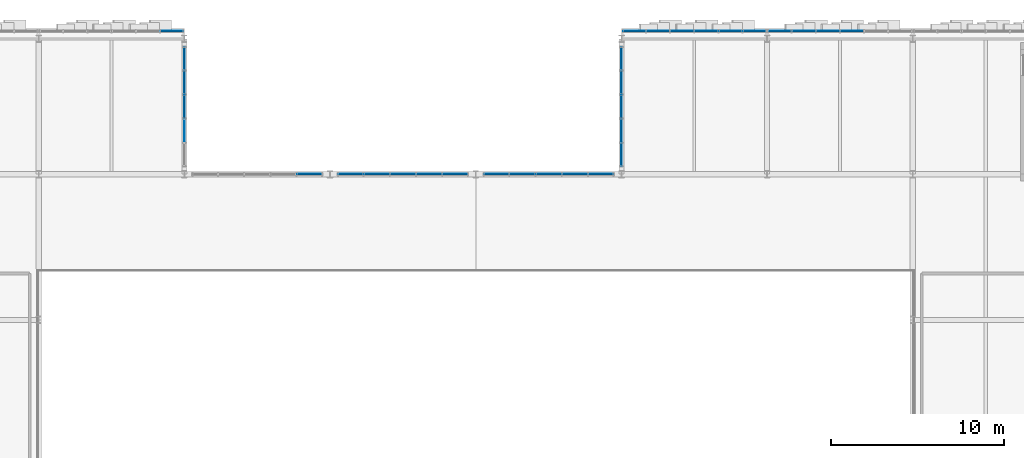
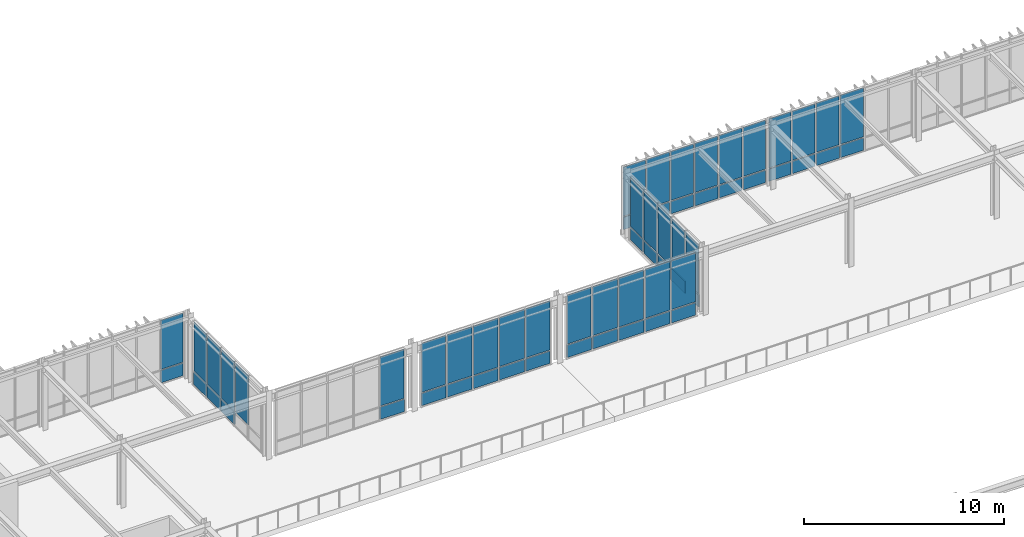
# One storey, part 89 of 127: 61 plates, 8 elements without a shape of their own.
"""IFC4 building model written with IfcOpenShell, lengths in metres."""

from ifc_helpers import new_model, si_unit, direction, frame, origin, origin_2d, place, context, subcontext, project, spatial, rectangle, extrude, material, layer, layer_set, type_object, element, aggregate, save


model = new_model("IFC4")

# Units and contexts
model_context = context("Model", 3, precision=1e-05, world=origin(), true_north=direction((0.0, 1.0)))
body_context = subcontext(model_context, "Body", "Model", "MODEL_VIEW")
ifc_project = project(units=[si_unit("LENGTHUNIT", "METRE"), si_unit("AREAUNIT", "SQUARE_METRE"), si_unit("VOLUMEUNIT", "CUBIC_METRE"), si_unit("PLANEANGLEUNIT", "RADIAN"), si_unit("MASSUNIT", "GRAM", prefix="KILO")], contexts=[model_context])

# Site, building, storey
site_placement = place(None, origin())
site = spatial("IfcSite", under=ifc_project, at=site_placement, CompositionType="ELEMENT")
building_placement = place(site_placement, origin())
building = spatial("IfcBuilding", under=site, at=building_placement, Name="Zayran Congress Hotel", CompositionType="ELEMENT")
storey_placement = place(building_placement, frame((0.0, 0.0, 10.800048828125)))
storey = spatial("IfcBuildingStorey", under=building, at=storey_placement, Name="L02", CompositionType="ELEMENT", Elevation=10.800048828125)

# Curtain wall, plate
ifc_material_1 = material(Name="Anodised aluminium and low-E insulated glass", Category="aluminium")
ifc_layer_1 = layer(ifc_material_1, 0.179931640625)
ifc_layer_set_1 = layer_set([ifc_layer_1], Name="Anodised aluminium and low-E insulated glass")
curtain_wall_type_1 = type_object("IfcCurtainWallType", Name="CW-V1N-L02-CW-23-8360-3920", PredefinedType="USERDEFINED", material=ifc_layer_set_1)
curtain_wall_1_placement = place(storey_placement, origin())
curtain_wall_1 = element("IfcCurtainWall", 1, at=curtain_wall_1_placement, inside=storey, type_object=curtain_wall_type_1, Name="CW-V1N-L02-2", ObjectType="CURTAIN WALL", PredefinedType="USERDEFINED")
ifc_material_2 = material(Name="Insulated warm bronze aluminium spandrel panel", Category="aluminium")
ifc_layer_2 = layer(ifc_material_2, 0.06005859375)
ifc_layer_set_2 = layer_set([ifc_layer_2], Name="Insulated warm bronze aluminium spandrel panel")
plate_type_1 = type_object("IfcPlateType", Name="CWP-SP-1273-750", PredefinedType="CURTAIN_PANEL", material=ifc_layer_set_2)
plate_1_placement = place(storey_placement, frame((32.86328125, 117.85009765625, 0.06005859375), z_axis=(0.0, 0.0, 1.0), x_axis=(1.0, 0.0, 0.0)))
plate_1 = element("IfcPlate", 2, at=plate_1_placement, type_object=plate_type_1, Name="CW-23 Spandrel Panel 1", PredefinedType="CURTAIN_PANEL", context=body_context, shape_type="SweptSolid", body=[
    extrude(rectangle(XDim=1.273193359375, YDim=0.06005859375, at=origin_2d()), origin(), (0.0, 0.0, 1.0), 0.75),
])

# Curtain wall, plates
ifc_layer_3 = layer(ifc_material_1, 0.179931640625)
ifc_layer_set_3 = layer_set([ifc_layer_3], Name="Anodised aluminium and low-E insulated glass")
curtain_wall_type_2 = type_object("IfcCurtainWallType", Name="CW-V1N-L02-CW-21-8360-3920", PredefinedType="USERDEFINED", material=ifc_layer_set_3)
curtain_wall_2_placement = place(storey_placement, origin())
curtain_wall_2 = element("IfcCurtainWall", 3, at=curtain_wall_2_placement, inside=storey, type_object=curtain_wall_type_2, Name="CW-V1N-L02-6", ObjectType="CURTAIN WALL", PredefinedType="USERDEFINED")
plate_2_placement = place(storey_placement, frame((66.46337890625, 117.85009765625, 0.06005859375), z_axis=(0.0, 0.0, 1.0), x_axis=(1.0, 0.0, 0.0)))
plate_2 = element("IfcPlate", 4, at=plate_2_placement, type_object=plate_type_1, Name="CW-21 Spandrel Panel 1", PredefinedType="CURTAIN_PANEL", context=body_context, shape_type="SweptSolid", body=[
    extrude(rectangle(XDim=1.273193359375, YDim=0.06005859375, at=origin_2d()), origin(), (0.0, 0.0, 1.0), 0.75),
])
plate_3_placement = place(storey_placement, frame((65.090087890625, 117.85009765625, 0.06005859375), z_axis=(0.0, 0.0, 1.0), x_axis=(1.0, 0.0, 0.0)))
plate_3 = element("IfcPlate", 5, at=plate_3_placement, type_object=plate_type_1, Name="CW-21 Spandrel Panel 2", PredefinedType="CURTAIN_PANEL", context=body_context, shape_type="SweptSolid", body=[
    extrude(rectangle(XDim=1.313232421875, YDim=0.06005859375, at=origin_2d()), origin(), (0.0, 0.0, 1.0), 0.75),
])
plate_4_placement = place(storey_placement, frame((63.69677734375, 117.85009765625, 0.06005859375), z_axis=(0.0, 0.0, 1.0), x_axis=(1.0, 0.0, 0.0)))
plate_4 = element("IfcPlate", 6, at=plate_4_placement, type_object=plate_type_1, Name="CW-21 Spandrel Panel 3", PredefinedType="CURTAIN_PANEL", context=body_context, shape_type="SweptSolid", body=[
    extrude(rectangle(XDim=1.313232421875, YDim=0.06005859375, at=origin_2d()), origin(), (0.0, 0.0, 1.0), 0.75),
])
plate_5_placement = place(storey_placement, frame((62.30322265625, 117.85009765625, 0.06005859375), z_axis=(0.0, 0.0, 1.0), x_axis=(1.0, 0.0, 0.0)))
plate_5 = element("IfcPlate", 7, at=plate_5_placement, type_object=plate_type_1, Name="CW-21 Spandrel Panel 4", PredefinedType="CURTAIN_PANEL", context=body_context, shape_type="SweptSolid", body=[
    extrude(rectangle(XDim=1.313232421875, YDim=0.06005859375, at=origin_2d()), origin(), (0.0, 0.0, 1.0), 0.75),
])
plate_6_placement = place(storey_placement, frame((60.909912109375, 117.85009765625, 0.06005859375), z_axis=(0.0, 0.0, 1.0), x_axis=(1.0, 0.0, 0.0)))
plate_6 = element("IfcPlate", 8, at=plate_6_placement, type_object=plate_type_1, Name="CW-21 Spandrel Panel 5", PredefinedType="CURTAIN_PANEL", context=body_context, shape_type="SweptSolid", body=[
    extrude(rectangle(XDim=1.313232421875, YDim=0.06005859375, at=origin_2d()), origin(), (0.0, 0.0, 1.0), 0.75),
])
plate_7_placement = place(storey_placement, frame((59.53662109375, 117.85009765625, 0.06005859375), z_axis=(0.0, 0.0, 1.0), x_axis=(1.0, 0.0, 0.0)))
plate_7 = element("IfcPlate", 9, at=plate_7_placement, type_object=plate_type_1, Name="CW-21 Spandrel Panel 6", PredefinedType="CURTAIN_PANEL", context=body_context, shape_type="SweptSolid", body=[
    extrude(rectangle(XDim=1.273193359375, YDim=0.06005859375, at=origin_2d()), origin(), (0.0, 0.0, 1.0), 0.75),
])

ifc_layer_4 = layer(ifc_material_1, 0.179931640625)
ifc_layer_set_4 = layer_set([ifc_layer_4], Name="Anodised aluminium and low-E insulated glass")
curtain_wall_type_3 = type_object("IfcCurtainWallType", Name="CW-V1N-L02-CW-22-8360-3920", PredefinedType="USERDEFINED", material=ifc_layer_set_4)
curtain_wall_3_placement = place(storey_placement, origin())
curtain_wall_3 = element("IfcCurtainWall", 10, at=curtain_wall_3_placement, inside=storey, type_object=curtain_wall_type_3, Name="CW-V1N-L02-7", ObjectType="CURTAIN WALL", PredefinedType="USERDEFINED")
plate_8_placement = place(storey_placement, frame((72.0966796875, 117.85009765625, 0.06005859375), z_axis=(0.0, 0.0, 1.0), x_axis=(1.0, 0.0, 0.0)))
plate_8 = element("IfcPlate", 11, at=plate_8_placement, type_object=plate_type_1, Name="CW-22 Spandrel Panel 3", PredefinedType="CURTAIN_PANEL", context=body_context, shape_type="SweptSolid", body=[
    extrude(rectangle(XDim=1.313232421875, YDim=0.06005859375, at=origin_2d()), origin(), (0.0, 0.0, 1.0), 0.75),
])
plate_9_placement = place(storey_placement, frame((70.703369140625, 117.85009765625, 0.06005859375), z_axis=(0.0, 0.0, 1.0), x_axis=(1.0, 0.0, 0.0)))
plate_9 = element("IfcPlate", 12, at=plate_9_placement, type_object=plate_type_1, Name="CW-22 Spandrel Panel 4", PredefinedType="CURTAIN_PANEL", context=body_context, shape_type="SweptSolid", body=[
    extrude(rectangle(XDim=1.313232421875, YDim=0.06005859375, at=origin_2d()), origin(), (0.0, 0.0, 1.0), 0.75),
])
plate_10_placement = place(storey_placement, frame((69.31005859375, 117.85009765625, 0.06005859375), z_axis=(0.0, 0.0, 1.0), x_axis=(1.0, 0.0, 0.0)))
plate_10 = element("IfcPlate", 13, at=plate_10_placement, type_object=plate_type_1, Name="CW-22 Spandrel Panel 5", PredefinedType="CURTAIN_PANEL", context=body_context, shape_type="SweptSolid", body=[
    extrude(rectangle(XDim=1.313232421875, YDim=0.06005859375, at=origin_2d()), origin(), (0.0, 0.0, 1.0), 0.75),
])
plate_11_placement = place(storey_placement, frame((67.936767578125, 117.85009765625, 0.06005859375), z_axis=(0.0, 0.0, 1.0), x_axis=(1.0, 0.0, 0.0)))
plate_11 = element("IfcPlate", 14, at=plate_11_placement, type_object=plate_type_1, Name="CW-22 Spandrel Panel 6", PredefinedType="CURTAIN_PANEL", context=body_context, shape_type="SweptSolid", body=[
    extrude(rectangle(XDim=1.273193359375, YDim=0.06005859375, at=origin_2d()), origin(), (0.0, 0.0, 1.0), 0.75),
])

ifc_layer_5 = layer(ifc_material_1, 0.179931640625)
ifc_layer_set_5 = layer_set([ifc_layer_5], Name="Anodised aluminium and low-E insulated glass")
curtain_wall_type_4 = type_object("IfcCurtainWallType", Name="CW-V1NW-L02-CW-24-6960-3920", PredefinedType="USERDEFINED", material=ifc_layer_set_5)
curtain_wall_4_placement = place(storey_placement, origin())
curtain_wall_4 = element("IfcCurtainWall", 15, at=curtain_wall_4_placement, inside=storey, type_object=curtain_wall_type_4, Name="CW-V1NW-L02", ObjectType="CURTAIN WALL", PredefinedType="USERDEFINED")
ifc_layer_6 = layer(ifc_material_2, 0.06005859375)
ifc_layer_set_6 = layer_set([ifc_layer_6], Name="Insulated warm bronze aluminium spandrel panel")
plate_type_2 = type_object("IfcPlateType", Name="CWP-SP-1272-750", PredefinedType="CURTAIN_PANEL", material=ifc_layer_set_6)
plate_12_placement = place(storey_placement, frame((33.60009765625, 113.5, 0.06005859375), z_axis=(0.0, 0.0, 1.0), x_axis=(0.0, 1.0, 0.0)))
plate_12 = element("IfcPlate", 16, at=plate_12_placement, type_object=plate_type_2, Name="CW-24 Spandrel Panel 3", PredefinedType="CURTAIN_PANEL", context=body_context, shape_type="SweptSolid", body=[
    extrude(rectangle(XDim=1.31201171875, YDim=0.06005859375, at=origin_2d()), origin(), (0.0, 0.0, 1.0), 0.75),
])
plate_13_placement = place(storey_placement, frame((33.60009765625, 114.89208984375, 0.06005859375), z_axis=(0.0, 0.0, 1.0), x_axis=(0.0, 1.0, 0.0)))
plate_13 = element("IfcPlate", 17, at=plate_13_placement, type_object=plate_type_2, Name="CW-24 Spandrel Panel 4", PredefinedType="CURTAIN_PANEL", context=body_context, shape_type="SweptSolid", body=[
    extrude(rectangle(XDim=1.31201171875, YDim=0.06005859375, at=origin_2d()), origin(), (0.0, 0.0, 1.0), 0.75),
])
plate_14_placement = place(storey_placement, frame((33.60009765625, 116.263916015625, 0.06005859375), z_axis=(0.0, 0.0, 1.0), x_axis=(0.0, 1.0, 0.0)))
plate_14 = element("IfcPlate", 18, at=plate_14_placement, type_object=plate_type_2, Name="CW-24 Spandrel Panel 5", PredefinedType="CURTAIN_PANEL", context=body_context, shape_type="SweptSolid", body=[
    extrude(rectangle(XDim=1.27197265625, YDim=0.06005859375, at=origin_2d()), origin(), (0.0, 0.0, 1.0), 0.75),
])

ifc_layer_7 = layer(ifc_material_1, 0.179931640625)
ifc_layer_set_7 = layer_set([ifc_layer_7], Name="Anodised aluminium and low-E insulated glass")
curtain_wall_type_5 = type_object("IfcCurtainWallType", Name="CW-V1NE-L02-CW-25-6960-3920", PredefinedType="USERDEFINED", material=ifc_layer_set_7)
curtain_wall_5_placement = place(storey_placement, origin())
curtain_wall_5 = element("IfcCurtainWall", 19, at=curtain_wall_5_placement, inside=storey, type_object=curtain_wall_type_5, Name="CW-V1NE-L02", ObjectType="CURTAIN WALL", PredefinedType="USERDEFINED")
plate_15_placement = place(storey_placement, frame((58.800048828125, 116.263916015625, 0.06005859375), z_axis=(0.0, 0.0, 1.0), x_axis=(0.0, 1.0, 0.0)))
plate_15 = element("IfcPlate", 20, at=plate_15_placement, type_object=plate_type_2, Name="CW-25 Spandrel Panel 1", PredefinedType="CURTAIN_PANEL", context=body_context, shape_type="SweptSolid", body=[
    extrude(rectangle(XDim=1.27197265625, YDim=0.06005859375, at=origin_2d()), origin(), (0.0, 0.0, 1.0), 0.75),
])
plate_16_placement = place(storey_placement, frame((58.800048828125, 114.89208984375, 0.06005859375), z_axis=(0.0, 0.0, 1.0), x_axis=(0.0, 1.0, 0.0)))
plate_16 = element("IfcPlate", 21, at=plate_16_placement, type_object=plate_type_2, Name="CW-25 Spandrel Panel 2", PredefinedType="CURTAIN_PANEL", context=body_context, shape_type="SweptSolid", body=[
    extrude(rectangle(XDim=1.31201171875, YDim=0.06005859375, at=origin_2d()), origin(), (0.0, 0.0, 1.0), 0.75),
])
plate_17_placement = place(storey_placement, frame((58.800048828125, 113.5, 0.06005859375), z_axis=(0.0, 0.0, 1.0), x_axis=(0.0, 1.0, 0.0)))
plate_17 = element("IfcPlate", 22, at=plate_17_placement, type_object=plate_type_2, Name="CW-25 Spandrel Panel 3", PredefinedType="CURTAIN_PANEL", context=body_context, shape_type="SweptSolid", body=[
    extrude(rectangle(XDim=1.31201171875, YDim=0.06005859375, at=origin_2d()), origin(), (0.0, 0.0, 1.0), 0.75),
])
plate_18_placement = place(storey_placement, frame((58.800048828125, 112.10791015625, 0.06005859375), z_axis=(0.0, 0.0, 1.0), x_axis=(0.0, 1.0, 0.0)))
plate_18 = element("IfcPlate", 23, at=plate_18_placement, type_object=plate_type_2, Name="CW-25 Spandrel Panel 4", PredefinedType="CURTAIN_PANEL", context=body_context, shape_type="SweptSolid", body=[
    extrude(rectangle(XDim=1.31201171875, YDim=0.06005859375, at=origin_2d()), origin(), (0.0, 0.0, 1.0), 0.75),
])
plate_19_placement = place(storey_placement, frame((58.800048828125, 110.736083984375, 0.06005859375), z_axis=(0.0, 0.0, 1.0), x_axis=(0.0, 1.0, 0.0)))
plate_19 = element("IfcPlate", 24, at=plate_19_placement, type_object=plate_type_2, Name="CW-25 Spandrel Panel 5", PredefinedType="CURTAIN_PANEL", context=body_context, shape_type="SweptSolid", body=[
    extrude(rectangle(XDim=1.27197265625, YDim=0.06005859375, at=origin_2d()), origin(), (0.0, 0.0, 1.0), 0.75),
])

# Curtain wall, plate
ifc_layer_8 = layer(ifc_material_1, 0.179931640625)
ifc_layer_set_8 = layer_set([ifc_layer_8], Name="Anodised aluminium and low-E insulated glass")
curtain_wall_type_6 = type_object("IfcCurtainWallType", Name="CW-V1NF-L02-CW-21-7560-3920", PredefinedType="USERDEFINED", material=ifc_layer_set_8)
curtain_wall_6_placement = place(storey_placement, origin())
curtain_wall_6 = element("IfcCurtainWall", 25, at=curtain_wall_6_placement, inside=storey, type_object=curtain_wall_type_6, Name="CW-V1NF-L02-3", ObjectType="CURTAIN WALL", PredefinedType="USERDEFINED")
ifc_layer_9 = layer(ifc_material_2, 0.06005859375)
ifc_layer_set_9 = layer_set([ifc_layer_9], Name="Insulated warm bronze aluminium spandrel panel")
plate_type_3 = type_object("IfcPlateType", Name="CWP-SP-1392-750", PredefinedType="CURTAIN_PANEL", material=ifc_layer_set_9)
plate_20_placement = place(storey_placement, frame((40.803955078125, 109.60009765625, 0.06005859375), z_axis=(0.0, 0.0, 1.0), x_axis=(1.0, 0.0, 0.0)))
plate_20 = element("IfcPlate", 26, at=plate_20_placement, type_object=plate_type_3, Name="CW-21 Spandrel Panel 1", PredefinedType="CURTAIN_PANEL", context=body_context, shape_type="SweptSolid", body=[
    extrude(rectangle(XDim=1.39208984375, YDim=0.06005859375, at=origin_2d()), origin(), (0.0, 0.0, 1.0), 0.75),
])

# Curtain wall, plates
ifc_layer_10 = layer(ifc_material_1, 0.179931640625)
ifc_layer_set_10 = layer_set([ifc_layer_10], Name="Anodised aluminium and low-E insulated glass")
curtain_wall_type_7 = type_object("IfcCurtainWallType", Name="CW-V1NF-L02-CW-22-7560-3920", PredefinedType="USERDEFINED", material=ifc_layer_set_10)
curtain_wall_7_placement = place(storey_placement, origin())
curtain_wall_7 = element("IfcCurtainWall", 27, at=curtain_wall_7_placement, inside=storey, type_object=curtain_wall_type_7, Name="CW-V1NF-L02-4", ObjectType="CURTAIN WALL", PredefinedType="USERDEFINED")
plate_21_placement = place(storey_placement, frame((49.2041015625, 109.60009765625, 0.06005859375), z_axis=(0.0, 0.0, 1.0), x_axis=(1.0, 0.0, 0.0)))
plate_21 = element("IfcPlate", 28, at=plate_21_placement, type_object=plate_type_3, Name="CW-22 Spandrel Panel 1", PredefinedType="CURTAIN_PANEL", context=body_context, shape_type="SweptSolid", body=[
    extrude(rectangle(XDim=1.39208984375, YDim=0.06005859375, at=origin_2d()), origin(), (0.0, 0.0, 1.0), 0.75),
])
plate_22_placement = place(storey_placement, frame((47.7119140625, 109.60009765625, 0.06005859375), z_axis=(0.0, 0.0, 1.0), x_axis=(1.0, 0.0, 0.0)))
plate_22 = element("IfcPlate", 29, at=plate_22_placement, type_object=plate_type_3, Name="CW-22 Spandrel Panel 2", PredefinedType="CURTAIN_PANEL", context=body_context, shape_type="SweptSolid", body=[
    extrude(rectangle(XDim=1.431884765625, YDim=0.06005859375, at=origin_2d()), origin(), (0.0, 0.0, 1.0), 0.75),
])
plate_23_placement = place(storey_placement, frame((46.199951171875, 109.60009765625, 0.06005859375), z_axis=(0.0, 0.0, 1.0), x_axis=(1.0, 0.0, 0.0)))
plate_23 = element("IfcPlate", 30, at=plate_23_placement, type_object=plate_type_3, Name="CW-22 Spandrel Panel 3", PredefinedType="CURTAIN_PANEL", context=body_context, shape_type="SweptSolid", body=[
    extrude(rectangle(XDim=1.431884765625, YDim=0.06005859375, at=origin_2d()), origin(), (0.0, 0.0, 1.0), 0.75),
])
plate_24_placement = place(storey_placement, frame((44.68798828125, 109.60009765625, 0.06005859375), z_axis=(0.0, 0.0, 1.0), x_axis=(1.0, 0.0, 0.0)))
plate_24 = element("IfcPlate", 31, at=plate_24_placement, type_object=plate_type_3, Name="CW-22 Spandrel Panel 4", PredefinedType="CURTAIN_PANEL", context=body_context, shape_type="SweptSolid", body=[
    extrude(rectangle(XDim=1.431884765625, YDim=0.06005859375, at=origin_2d()), origin(), (0.0, 0.0, 1.0), 0.75),
])
plate_25_placement = place(storey_placement, frame((43.196044921875, 109.60009765625, 0.06005859375), z_axis=(0.0, 0.0, 1.0), x_axis=(1.0, 0.0, 0.0)))
plate_25 = element("IfcPlate", 32, at=plate_25_placement, type_object=plate_type_3, Name="CW-22 Spandrel Panel 5", PredefinedType="CURTAIN_PANEL", context=body_context, shape_type="SweptSolid", body=[
    extrude(rectangle(XDim=1.39208984375, YDim=0.06005859375, at=origin_2d()), origin(), (0.0, 0.0, 1.0), 0.75),
])

ifc_layer_11 = layer(ifc_material_1, 0.179931640625)
ifc_layer_set_11 = layer_set([ifc_layer_11], Name="Anodised aluminium and low-E insulated glass")
curtain_wall_type_8 = type_object("IfcCurtainWallType", Name="CW-V1NF-L02-CW-23-7560-3920", PredefinedType="USERDEFINED", material=ifc_layer_set_11)
curtain_wall_8_placement = place(storey_placement, origin())
curtain_wall_8 = element("IfcCurtainWall", 33, at=curtain_wall_8_placement, inside=storey, type_object=curtain_wall_type_8, Name="CW-V1NF-L02-5", ObjectType="CURTAIN WALL", PredefinedType="USERDEFINED")
plate_26_placement = place(storey_placement, frame((57.60400390625, 109.60009765625, 0.06005859375), z_axis=(0.0, 0.0, 1.0), x_axis=(1.0, 0.0, 0.0)))
plate_26 = element("IfcPlate", 34, at=plate_26_placement, type_object=plate_type_3, Name="CW-23 Spandrel Panel 1", PredefinedType="CURTAIN_PANEL", context=body_context, shape_type="SweptSolid", body=[
    extrude(rectangle(XDim=1.39208984375, YDim=0.06005859375, at=origin_2d()), origin(), (0.0, 0.0, 1.0), 0.75),
])
plate_27_placement = place(storey_placement, frame((56.112060546875, 109.60009765625, 0.06005859375), z_axis=(0.0, 0.0, 1.0), x_axis=(1.0, 0.0, 0.0)))
plate_27 = element("IfcPlate", 35, at=plate_27_placement, type_object=plate_type_3, Name="CW-23 Spandrel Panel 2", PredefinedType="CURTAIN_PANEL", context=body_context, shape_type="SweptSolid", body=[
    extrude(rectangle(XDim=1.431884765625, YDim=0.06005859375, at=origin_2d()), origin(), (0.0, 0.0, 1.0), 0.75),
])
plate_28_placement = place(storey_placement, frame((54.60009765625, 109.60009765625, 0.06005859375), z_axis=(0.0, 0.0, 1.0), x_axis=(1.0, 0.0, 0.0)))
plate_28 = element("IfcPlate", 36, at=plate_28_placement, type_object=plate_type_3, Name="CW-23 Spandrel Panel 3", PredefinedType="CURTAIN_PANEL", context=body_context, shape_type="SweptSolid", body=[
    extrude(rectangle(XDim=1.431884765625, YDim=0.06005859375, at=origin_2d()), origin(), (0.0, 0.0, 1.0), 0.75),
])
plate_29_placement = place(storey_placement, frame((53.087890625, 109.60009765625, 0.06005859375), z_axis=(0.0, 0.0, 1.0), x_axis=(1.0, 0.0, 0.0)))
plate_29 = element("IfcPlate", 37, at=plate_29_placement, type_object=plate_type_3, Name="CW-23 Spandrel Panel 4", PredefinedType="CURTAIN_PANEL", context=body_context, shape_type="SweptSolid", body=[
    extrude(rectangle(XDim=1.431884765625, YDim=0.06005859375, at=origin_2d()), origin(), (0.0, 0.0, 1.0), 0.75),
])
plate_30_placement = place(storey_placement, frame((51.595947265625, 109.60009765625, 0.06005859375), z_axis=(0.0, 0.0, 1.0), x_axis=(1.0, 0.0, 0.0)))
plate_30 = element("IfcPlate", 38, at=plate_30_placement, type_object=plate_type_3, Name="CW-23 Spandrel Panel 5", PredefinedType="CURTAIN_PANEL", context=body_context, shape_type="SweptSolid", body=[
    extrude(rectangle(XDim=1.39208984375, YDim=0.06005859375, at=origin_2d()), origin(), (0.0, 0.0, 1.0), 0.75),
])

# Plate
ifc_layer_12 = layer(ifc_material_1, 0.028076171875)
ifc_layer_set_12 = layer_set([ifc_layer_12], Name="Anodised aluminium and low-E insulated glass")
plate_type_4 = type_object("IfcPlateType", Name="CWP-GL-1273-2990", PredefinedType="CURTAIN_PANEL", material=ifc_layer_set_12)
plate_31_placement = place(storey_placement, frame((32.86328125, 117.85009765625, 0.8701171875), z_axis=(0.0, 0.0, 1.0), x_axis=(1.0, 0.0, 0.0)))
plate_31 = element("IfcPlate", 39, at=plate_31_placement, type_object=plate_type_4, Name="CW-23 Glazed Panel 1", PredefinedType="CURTAIN_PANEL", context=body_context, shape_type="SweptSolid", body=[
    extrude(rectangle(XDim=1.273193359375, YDim=0.028076171875, at=origin_2d()), origin(), (0.0, 0.0, 1.0), 2.989990234375),
])

aggregate(curtain_wall_1, [plate_1, plate_31])

plate_32_placement = place(storey_placement, frame((66.46337890625, 117.85009765625, 0.8701171875), z_axis=(0.0, 0.0, 1.0), x_axis=(1.0, 0.0, 0.0)))
plate_32 = element("IfcPlate", 40, at=plate_32_placement, type_object=plate_type_4, Name="CW-21 Glazed Panel 1", PredefinedType="CURTAIN_PANEL", context=body_context, shape_type="SweptSolid", body=[
    extrude(rectangle(XDim=1.273193359375, YDim=0.028076171875, at=origin_2d()), origin(), (0.0, 0.0, 1.0), 2.989990234375),
])

plate_33_placement = place(storey_placement, frame((65.090087890625, 117.85009765625, 0.8701171875), z_axis=(0.0, 0.0, 1.0), x_axis=(1.0, 0.0, 0.0)))
plate_33 = element("IfcPlate", 41, at=plate_33_placement, type_object=plate_type_4, Name="CW-21 Glazed Panel 2", PredefinedType="CURTAIN_PANEL", context=body_context, shape_type="SweptSolid", body=[
    extrude(rectangle(XDim=1.313232421875, YDim=0.028076171875, at=origin_2d()), origin(), (0.0, 0.0, 1.0), 2.989990234375),
])

plate_34_placement = place(storey_placement, frame((63.69677734375, 117.85009765625, 0.8701171875), z_axis=(0.0, 0.0, 1.0), x_axis=(1.0, 0.0, 0.0)))
plate_34 = element("IfcPlate", 42, at=plate_34_placement, type_object=plate_type_4, Name="CW-21 Glazed Panel 3", PredefinedType="CURTAIN_PANEL", context=body_context, shape_type="SweptSolid", body=[
    extrude(rectangle(XDim=1.313232421875, YDim=0.028076171875, at=origin_2d()), origin(), (0.0, 0.0, 1.0), 2.989990234375),
])

plate_35_placement = place(storey_placement, frame((62.30322265625, 117.85009765625, 0.8701171875), z_axis=(0.0, 0.0, 1.0), x_axis=(1.0, 0.0, 0.0)))
plate_35 = element("IfcPlate", 43, at=plate_35_placement, type_object=plate_type_4, Name="CW-21 Glazed Panel 4", PredefinedType="CURTAIN_PANEL", context=body_context, shape_type="SweptSolid", body=[
    extrude(rectangle(XDim=1.313232421875, YDim=0.028076171875, at=origin_2d()), origin(), (0.0, 0.0, 1.0), 2.989990234375),
])

plate_36_placement = place(storey_placement, frame((60.909912109375, 117.85009765625, 0.8701171875), z_axis=(0.0, 0.0, 1.0), x_axis=(1.0, 0.0, 0.0)))
plate_36 = element("IfcPlate", 44, at=plate_36_placement, type_object=plate_type_4, Name="CW-21 Glazed Panel 5", PredefinedType="CURTAIN_PANEL", context=body_context, shape_type="SweptSolid", body=[
    extrude(rectangle(XDim=1.313232421875, YDim=0.028076171875, at=origin_2d()), origin(), (0.0, 0.0, 1.0), 2.989990234375),
])

plate_37_placement = place(storey_placement, frame((59.53662109375, 117.85009765625, 0.8701171875), z_axis=(0.0, 0.0, 1.0), x_axis=(1.0, 0.0, 0.0)))
plate_37 = element("IfcPlate", 45, at=plate_37_placement, type_object=plate_type_4, Name="CW-21 Glazed Panel 6", PredefinedType="CURTAIN_PANEL", context=body_context, shape_type="SweptSolid", body=[
    extrude(rectangle(XDim=1.273193359375, YDim=0.028076171875, at=origin_2d()), origin(), (0.0, 0.0, 1.0), 2.989990234375),
])

aggregate(curtain_wall_2, [plate_2, plate_32, plate_3, plate_33, plate_4, plate_34, plate_5, plate_35, plate_6, plate_36, plate_7, plate_37])

plate_38_placement = place(storey_placement, frame((72.0966796875, 117.85009765625, 0.8701171875), z_axis=(0.0, 0.0, 1.0), x_axis=(1.0, 0.0, 0.0)))
plate_38 = element("IfcPlate", 46, at=plate_38_placement, type_object=plate_type_4, Name="CW-22 Glazed Panel 3", PredefinedType="CURTAIN_PANEL", context=body_context, shape_type="SweptSolid", body=[
    extrude(rectangle(XDim=1.313232421875, YDim=0.028076171875, at=origin_2d()), origin(), (0.0, 0.0, 1.0), 2.989990234375),
])

plate_39_placement = place(storey_placement, frame((70.703369140625, 117.85009765625, 0.8701171875), z_axis=(0.0, 0.0, 1.0), x_axis=(1.0, 0.0, 0.0)))
plate_39 = element("IfcPlate", 47, at=plate_39_placement, type_object=plate_type_4, Name="CW-22 Glazed Panel 4", PredefinedType="CURTAIN_PANEL", context=body_context, shape_type="SweptSolid", body=[
    extrude(rectangle(XDim=1.313232421875, YDim=0.028076171875, at=origin_2d()), origin(), (0.0, 0.0, 1.0), 2.989990234375),
])

plate_40_placement = place(storey_placement, frame((69.31005859375, 117.85009765625, 0.8701171875), z_axis=(0.0, 0.0, 1.0), x_axis=(1.0, 0.0, 0.0)))
plate_40 = element("IfcPlate", 48, at=plate_40_placement, type_object=plate_type_4, Name="CW-22 Glazed Panel 5", PredefinedType="CURTAIN_PANEL", context=body_context, shape_type="SweptSolid", body=[
    extrude(rectangle(XDim=1.313232421875, YDim=0.028076171875, at=origin_2d()), origin(), (0.0, 0.0, 1.0), 2.989990234375),
])

plate_41_placement = place(storey_placement, frame((67.936767578125, 117.85009765625, 0.8701171875), z_axis=(0.0, 0.0, 1.0), x_axis=(1.0, 0.0, 0.0)))
plate_41 = element("IfcPlate", 49, at=plate_41_placement, type_object=plate_type_4, Name="CW-22 Glazed Panel 6", PredefinedType="CURTAIN_PANEL", context=body_context, shape_type="SweptSolid", body=[
    extrude(rectangle(XDim=1.273193359375, YDim=0.028076171875, at=origin_2d()), origin(), (0.0, 0.0, 1.0), 2.989990234375),
])

aggregate(curtain_wall_3, [plate_8, plate_38, plate_9, plate_39, plate_10, plate_40, plate_11, plate_41])

ifc_layer_13 = layer(ifc_material_1, 0.028076171875)
ifc_layer_set_13 = layer_set([ifc_layer_13], Name="Anodised aluminium and low-E insulated glass")
plate_type_5 = type_object("IfcPlateType", Name="CWP-GL-1392-2990", PredefinedType="CURTAIN_PANEL", material=ifc_layer_set_13)
plate_42_placement = place(storey_placement, frame((40.803955078125, 109.60009765625, 0.8701171875), z_axis=(0.0, 0.0, 1.0), x_axis=(1.0, 0.0, 0.0)))
plate_42 = element("IfcPlate", 50, at=plate_42_placement, type_object=plate_type_5, Name="CW-21 Glazed Panel 1", PredefinedType="CURTAIN_PANEL", context=body_context, shape_type="SweptSolid", body=[
    extrude(rectangle(XDim=1.39208984375, YDim=0.028076171875, at=origin_2d()), origin(), (0.0, 0.0, 1.0), 2.989990234375),
])

aggregate(curtain_wall_6, [plate_20, plate_42])

plate_43_placement = place(storey_placement, frame((49.2041015625, 109.60009765625, 0.8701171875), z_axis=(0.0, 0.0, 1.0), x_axis=(1.0, 0.0, 0.0)))
plate_43 = element("IfcPlate", 51, at=plate_43_placement, type_object=plate_type_5, Name="CW-22 Glazed Panel 1", PredefinedType="CURTAIN_PANEL", context=body_context, shape_type="SweptSolid", body=[
    extrude(rectangle(XDim=1.39208984375, YDim=0.028076171875, at=origin_2d()), origin(), (0.0, 0.0, 1.0), 2.989990234375),
])

plate_44_placement = place(storey_placement, frame((47.7119140625, 109.60009765625, 0.8701171875), z_axis=(0.0, 0.0, 1.0), x_axis=(1.0, 0.0, 0.0)))
plate_44 = element("IfcPlate", 52, at=plate_44_placement, type_object=plate_type_5, Name="CW-22 Glazed Panel 2", PredefinedType="CURTAIN_PANEL", context=body_context, shape_type="SweptSolid", body=[
    extrude(rectangle(XDim=1.431884765625, YDim=0.028076171875, at=origin_2d()), origin(), (0.0, 0.0, 1.0), 2.989990234375),
])

plate_45_placement = place(storey_placement, frame((46.199951171875, 109.60009765625, 0.8701171875), z_axis=(0.0, 0.0, 1.0), x_axis=(1.0, 0.0, 0.0)))
plate_45 = element("IfcPlate", 53, at=plate_45_placement, type_object=plate_type_5, Name="CW-22 Glazed Panel 3", PredefinedType="CURTAIN_PANEL", context=body_context, shape_type="SweptSolid", body=[
    extrude(rectangle(XDim=1.431884765625, YDim=0.028076171875, at=origin_2d()), origin(), (0.0, 0.0, 1.0), 2.989990234375),
])

plate_46_placement = place(storey_placement, frame((44.68798828125, 109.60009765625, 0.8701171875), z_axis=(0.0, 0.0, 1.0), x_axis=(1.0, 0.0, 0.0)))
plate_46 = element("IfcPlate", 54, at=plate_46_placement, type_object=plate_type_5, Name="CW-22 Glazed Panel 4", PredefinedType="CURTAIN_PANEL", context=body_context, shape_type="SweptSolid", body=[
    extrude(rectangle(XDim=1.431884765625, YDim=0.028076171875, at=origin_2d()), origin(), (0.0, 0.0, 1.0), 2.989990234375),
])

plate_47_placement = place(storey_placement, frame((43.196044921875, 109.60009765625, 0.8701171875), z_axis=(0.0, 0.0, 1.0), x_axis=(1.0, 0.0, 0.0)))
plate_47 = element("IfcPlate", 55, at=plate_47_placement, type_object=plate_type_5, Name="CW-22 Glazed Panel 5", PredefinedType="CURTAIN_PANEL", context=body_context, shape_type="SweptSolid", body=[
    extrude(rectangle(XDim=1.39208984375, YDim=0.028076171875, at=origin_2d()), origin(), (0.0, 0.0, 1.0), 2.989990234375),
])

aggregate(curtain_wall_7, [plate_21, plate_43, plate_22, plate_44, plate_23, plate_45, plate_24, plate_46, plate_25, plate_47])

plate_48_placement = place(storey_placement, frame((57.60400390625, 109.60009765625, 0.8701171875), z_axis=(0.0, 0.0, 1.0), x_axis=(1.0, 0.0, 0.0)))
plate_48 = element("IfcPlate", 56, at=plate_48_placement, type_object=plate_type_5, Name="CW-23 Glazed Panel 1", PredefinedType="CURTAIN_PANEL", context=body_context, shape_type="SweptSolid", body=[
    extrude(rectangle(XDim=1.39208984375, YDim=0.028076171875, at=origin_2d()), origin(), (0.0, 0.0, 1.0), 2.989990234375),
])

plate_49_placement = place(storey_placement, frame((56.112060546875, 109.60009765625, 0.8701171875), z_axis=(0.0, 0.0, 1.0), x_axis=(1.0, 0.0, 0.0)))
plate_49 = element("IfcPlate", 57, at=plate_49_placement, type_object=plate_type_5, Name="CW-23 Glazed Panel 2", PredefinedType="CURTAIN_PANEL", context=body_context, shape_type="SweptSolid", body=[
    extrude(rectangle(XDim=1.431884765625, YDim=0.028076171875, at=origin_2d()), origin(), (0.0, 0.0, 1.0), 2.989990234375),
])

plate_50_placement = place(storey_placement, frame((54.60009765625, 109.60009765625, 0.8701171875), z_axis=(0.0, 0.0, 1.0), x_axis=(1.0, 0.0, 0.0)))
plate_50 = element("IfcPlate", 58, at=plate_50_placement, type_object=plate_type_5, Name="CW-23 Glazed Panel 3", PredefinedType="CURTAIN_PANEL", context=body_context, shape_type="SweptSolid", body=[
    extrude(rectangle(XDim=1.431884765625, YDim=0.028076171875, at=origin_2d()), origin(), (0.0, 0.0, 1.0), 2.989990234375),
])

plate_51_placement = place(storey_placement, frame((53.087890625, 109.60009765625, 0.8701171875), z_axis=(0.0, 0.0, 1.0), x_axis=(1.0, 0.0, 0.0)))
plate_51 = element("IfcPlate", 59, at=plate_51_placement, type_object=plate_type_5, Name="CW-23 Glazed Panel 4", PredefinedType="CURTAIN_PANEL", context=body_context, shape_type="SweptSolid", body=[
    extrude(rectangle(XDim=1.431884765625, YDim=0.028076171875, at=origin_2d()), origin(), (0.0, 0.0, 1.0), 2.989990234375),
])

plate_52_placement = place(storey_placement, frame((51.595947265625, 109.60009765625, 0.8701171875), z_axis=(0.0, 0.0, 1.0), x_axis=(1.0, 0.0, 0.0)))
plate_52 = element("IfcPlate", 60, at=plate_52_placement, type_object=plate_type_5, Name="CW-23 Glazed Panel 5", PredefinedType="CURTAIN_PANEL", context=body_context, shape_type="SweptSolid", body=[
    extrude(rectangle(XDim=1.39208984375, YDim=0.028076171875, at=origin_2d()), origin(), (0.0, 0.0, 1.0), 2.989990234375),
])

aggregate(curtain_wall_8, [plate_26, plate_48, plate_27, plate_49, plate_28, plate_50, plate_29, plate_51, plate_30, plate_52])

ifc_layer_14 = layer(ifc_material_1, 0.028076171875)
ifc_layer_set_14 = layer_set([ifc_layer_14], Name="Anodised aluminium and low-E insulated glass")
plate_type_6 = type_object("IfcPlateType", Name="CWP-GL-1272-2990", PredefinedType="CURTAIN_PANEL", material=ifc_layer_set_14)
plate_53_placement = place(storey_placement, frame((33.60009765625, 112.10791015625, 0.8701171875), z_axis=(0.0, 0.0, 1.0), x_axis=(0.0, 1.0, 0.0)))
plate_53 = element("IfcPlate", 61, at=plate_53_placement, type_object=plate_type_6, Name="CW-24 Glazed Panel 2", PredefinedType="CURTAIN_PANEL", context=body_context, shape_type="SweptSolid", body=[
    extrude(rectangle(XDim=1.31201171875, YDim=0.028076171875, at=origin_2d()), origin(), (0.0, 0.0, 1.0), 2.989990234375),
])

plate_54_placement = place(storey_placement, frame((33.60009765625, 113.5, 0.8701171875), z_axis=(0.0, 0.0, 1.0), x_axis=(0.0, 1.0, 0.0)))
plate_54 = element("IfcPlate", 62, at=plate_54_placement, type_object=plate_type_6, Name="CW-24 Glazed Panel 3", PredefinedType="CURTAIN_PANEL", context=body_context, shape_type="SweptSolid", body=[
    extrude(rectangle(XDim=1.31201171875, YDim=0.028076171875, at=origin_2d()), origin(), (0.0, 0.0, 1.0), 2.989990234375),
])

plate_55_placement = place(storey_placement, frame((33.60009765625, 114.89208984375, 0.8701171875), z_axis=(0.0, 0.0, 1.0), x_axis=(0.0, 1.0, 0.0)))
plate_55 = element("IfcPlate", 63, at=plate_55_placement, type_object=plate_type_6, Name="CW-24 Glazed Panel 4", PredefinedType="CURTAIN_PANEL", context=body_context, shape_type="SweptSolid", body=[
    extrude(rectangle(XDim=1.31201171875, YDim=0.028076171875, at=origin_2d()), origin(), (0.0, 0.0, 1.0), 2.989990234375),
])

plate_56_placement = place(storey_placement, frame((33.60009765625, 116.263916015625, 0.8701171875), z_axis=(0.0, 0.0, 1.0), x_axis=(0.0, 1.0, 0.0)))
plate_56 = element("IfcPlate", 64, at=plate_56_placement, type_object=plate_type_6, Name="CW-24 Glazed Panel 5", PredefinedType="CURTAIN_PANEL", context=body_context, shape_type="SweptSolid", body=[
    extrude(rectangle(XDim=1.27197265625, YDim=0.028076171875, at=origin_2d()), origin(), (0.0, 0.0, 1.0), 2.989990234375),
])

aggregate(curtain_wall_4, [plate_53, plate_12, plate_54, plate_13, plate_55, plate_14, plate_56])

plate_57_placement = place(storey_placement, frame((58.800048828125, 116.263916015625, 0.8701171875), z_axis=(0.0, 0.0, 1.0), x_axis=(0.0, 1.0, 0.0)))
plate_57 = element("IfcPlate", 65, at=plate_57_placement, type_object=plate_type_6, Name="CW-25 Glazed Panel 1", PredefinedType="CURTAIN_PANEL", context=body_context, shape_type="SweptSolid", body=[
    extrude(rectangle(XDim=1.27197265625, YDim=0.028076171875, at=origin_2d()), origin(), (0.0, 0.0, 1.0), 2.989990234375),
])

plate_58_placement = place(storey_placement, frame((58.800048828125, 114.89208984375, 0.8701171875), z_axis=(0.0, 0.0, 1.0), x_axis=(0.0, 1.0, 0.0)))
plate_58 = element("IfcPlate", 66, at=plate_58_placement, type_object=plate_type_6, Name="CW-25 Glazed Panel 2", PredefinedType="CURTAIN_PANEL", context=body_context, shape_type="SweptSolid", body=[
    extrude(rectangle(XDim=1.31201171875, YDim=0.028076171875, at=origin_2d()), origin(), (0.0, 0.0, 1.0), 2.989990234375),
])

plate_59_placement = place(storey_placement, frame((58.800048828125, 113.5, 0.8701171875), z_axis=(0.0, 0.0, 1.0), x_axis=(0.0, 1.0, 0.0)))
plate_59 = element("IfcPlate", 67, at=plate_59_placement, type_object=plate_type_6, Name="CW-25 Glazed Panel 3", PredefinedType="CURTAIN_PANEL", context=body_context, shape_type="SweptSolid", body=[
    extrude(rectangle(XDim=1.31201171875, YDim=0.028076171875, at=origin_2d()), origin(), (0.0, 0.0, 1.0), 2.989990234375),
])

plate_60_placement = place(storey_placement, frame((58.800048828125, 112.10791015625, 0.8701171875), z_axis=(0.0, 0.0, 1.0), x_axis=(0.0, 1.0, 0.0)))
plate_60 = element("IfcPlate", 68, at=plate_60_placement, type_object=plate_type_6, Name="CW-25 Glazed Panel 4", PredefinedType="CURTAIN_PANEL", context=body_context, shape_type="SweptSolid", body=[
    extrude(rectangle(XDim=1.31201171875, YDim=0.028076171875, at=origin_2d()), origin(), (0.0, 0.0, 1.0), 2.989990234375),
])

plate_61_placement = place(storey_placement, frame((58.800048828125, 110.736083984375, 0.8701171875), z_axis=(0.0, 0.0, 1.0), x_axis=(0.0, 1.0, 0.0)))
plate_61 = element("IfcPlate", 69, at=plate_61_placement, type_object=plate_type_6, Name="CW-25 Glazed Panel 5", PredefinedType="CURTAIN_PANEL", context=body_context, shape_type="SweptSolid", body=[
    extrude(rectangle(XDim=1.27197265625, YDim=0.028076171875, at=origin_2d()), origin(), (0.0, 0.0, 1.0), 2.989990234375),
])

aggregate(curtain_wall_5, [plate_15, plate_57, plate_16, plate_58, plate_17, plate_59, plate_18, plate_60, plate_19, plate_61])

save(model, "model.ifc")
